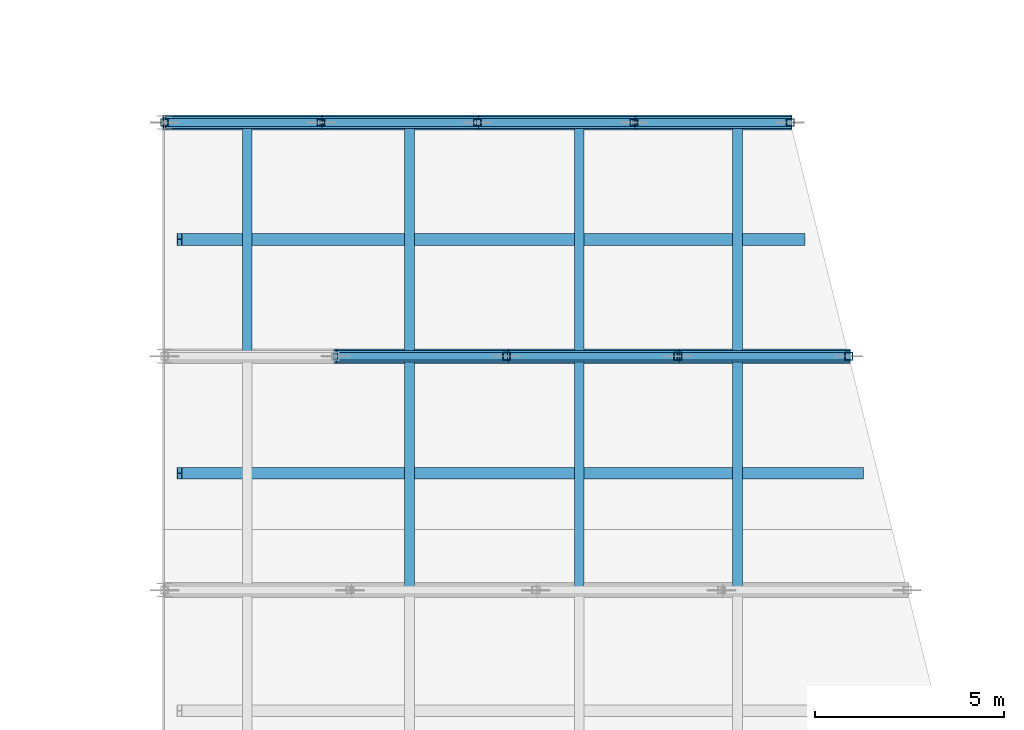
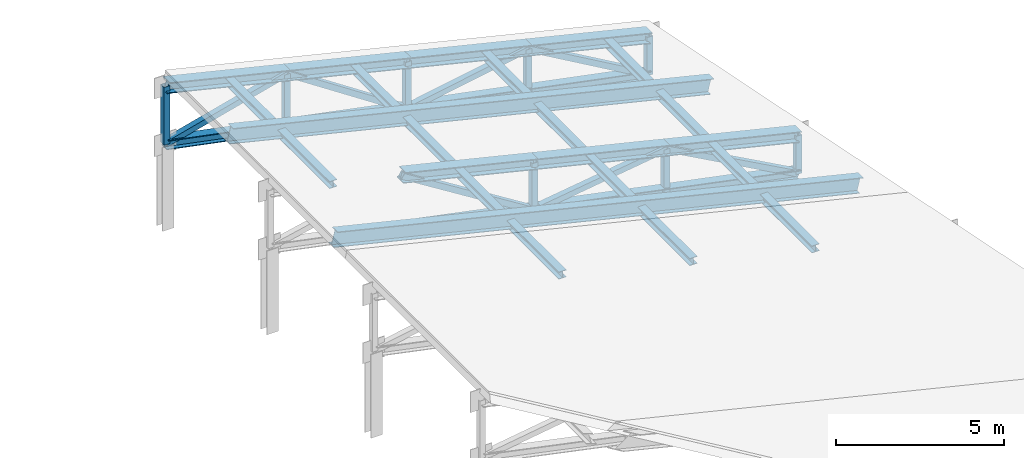
# One storey, part 34 of 73: 38 members.
"""IFC4 building model written with IfcOpenShell, lengths in metres."""

from ifc_helpers import new_model, si_unit, direction, frame, origin, origin_2d, place, context, subcontext, project, spatial, hollow_rectangle, i_section, extrude, material, material_profile, profile_set, type_object, element, save


model = new_model("IFC4")

# Units and contexts
model_context = context("Model", 3, precision=1e-05, world=origin(), true_north=direction((0.0, 1.0)))
body_context = subcontext(model_context, "Body", "Model", "MODEL_VIEW")
ifc_project = project(units=[si_unit("LENGTHUNIT", "METRE"), si_unit("AREAUNIT", "SQUARE_METRE"), si_unit("VOLUMEUNIT", "CUBIC_METRE"), si_unit("PLANEANGLEUNIT", "RADIAN"), si_unit("MASSUNIT", "GRAM", prefix="KILO")], contexts=[model_context])

# Site, building, storey
site_placement = place(None, origin())
site = spatial("IfcSite", under=ifc_project, at=site_placement, CompositionType="ELEMENT")
building_placement = place(site_placement, origin())
building = spatial("IfcBuilding", under=site, at=building_placement, Name="Vervanel Yard Central Library", CompositionType="ELEMENT")
storey_placement = place(building_placement, frame((0.0, 0.0, 12.780029296875)))
storey = spatial("IfcBuildingStorey", under=building, at=storey_placement, Name="L03", CompositionType="ELEMENT", Elevation=12.780029296875)

# Members
ifc_material_1 = material(Name="Steel ASTM A992 Grade 50", Category="steel")
ifc_material_profile_1 = material_profile(ifc_material_1, i_section(OverallWidth=0.256591796875, OverallDepth=0.26416015625, WebThickness=0.011962890625, FlangeThickness=0.01953125, at=origin_2d()), Name="W10X68", Category="steel")
ifc_profile_set_1 = profile_set([ifc_material_profile_1], Name="Steel ASTM A992 Grade 50")
member_type_1 = type_object("IfcMemberType", Name="Auditorium Roof Purlin W10X68", PredefinedType="PURLIN", material=ifc_profile_set_1)
for number, where, z_axis, x_axis, name in (
    (1, (152.5, 93.60009765625, 3.494140625), (0.0, 1.0, 0.0), (-1.0, 0.0, 0.0), "Auditorium Roof Purlin X=152.5 Y=93.6-99.8"),
    (2, (157.0, 93.60009765625, 2.409912109375), (0.0, 1.0, 0.0), (-1.0, 0.0, 0.0), "Auditorium Roof Purlin X=157.0 Y=93.6-99.8"),
    (3, (161.199951171875, 93.60009765625, 1.398193359375), (0.0, 1.0, 0.0), (-1.0, 0.0, 0.0), "Auditorium Roof Purlin X=161.2 Y=93.6-99.8"),
    (4, (148.199951171875, 99.800048828125, 4.530029296875), (0.0, 1.0, 0.0), (-1.0, 0.0, 0.0), "Auditorium Roof Purlin X=148.2 Y=99.8-106.0"),
    (5, (152.5, 99.800048828125, 3.494140625), (0.0, 1.0, 0.0), (-1.0, 0.0, 0.0), "Auditorium Roof Purlin X=152.5 Y=99.8-106.0"),
    (6, (157.0, 99.800048828125, 2.409912109375), (0.0, 1.0, 0.0), (-1.0, 0.0, 0.0), "Auditorium Roof Purlin X=157.0 Y=99.8-106.0"),
    (7, (161.199951171875, 99.800048828125, 1.398193359375), (0.0, 1.0, 0.0), (-1.0, 0.0, 0.0), "Auditorium Roof Purlin X=161.2 Y=99.8-106.0"),
):
    element("IfcMember", number, at=place(storey_placement, frame(where, z_axis=z_axis, x_axis=x_axis)), inside=storey, type_object=member_type_1, Name=name, PredefinedType="PURLIN", context=body_context, shape_type="SweptSolid", body=[
        extrude(i_section(OverallWidth=0.256591796875, OverallDepth=0.26416015625, WebThickness=0.011962890625, FlangeThickness=0.01953125, at=origin_2d()), origin(), (0.0, 0.0, 1.0), 6.199951171875),
    ])
ifc_material_profile_2 = material_profile(ifc_material_1, i_section(OverallWidth=0.309814453125, OverallDepth=0.32763671875, WebThickness=0.015380859375, FlangeThickness=0.025146484375, at=origin_2d()), Name="W12X106", Category="steel")
ifc_profile_set_2 = profile_set([ifc_material_profile_2], Name="Steel ASTM A992 Grade 50")
member_type_2 = type_object("IfcMemberType", Name="Auditorium Roof Truss Bottom Chord W12X106", PredefinedType="CHORD", material=ifc_profile_set_2)
member_1_placement = place(storey_placement, frame((150.53759765625, 99.800048828125, 2.121826171875), z_axis=(0.980131894365, 0.0, -0.198346841792), x_axis=(0.0, 1.0, 0.0)))
element("IfcMember", 8, at=member_1_placement, inside=storey, type_object=member_type_2, Name="Auditorium Truss 5 Bottom Chord 2", PredefinedType="CHORD", context=body_context, shape_type="SweptSolid", body=[
    extrude(i_section(OverallWidth=0.309814453125, OverallDepth=0.32763671875, WebThickness=0.015380859375, FlangeThickness=0.025146484375, at=origin_2d()), origin(), (0.0, 0.0, 1.0), 4.62939453125),
])
member_2_placement = place(storey_placement, frame((155.074951171875, 99.800048828125, 1.20361328125), z_axis=(0.980144219293, 0.0, -0.198285928362), x_axis=(0.0, 1.0, 0.0)))
element("IfcMember", 9, at=member_2_placement, inside=storey, type_object=member_type_2, Name="Auditorium Truss 5 Bottom Chord 3", PredefinedType="CHORD", context=body_context, shape_type="SweptSolid", body=[
    extrude(i_section(OverallWidth=0.309814453125, OverallDepth=0.32763671875, WebThickness=0.015380859375, FlangeThickness=0.025146484375, at=origin_2d()), origin(), (0.0, 0.0, 1.0), 4.629638671875),
])
member_3_placement = place(storey_placement, frame((159.612548828125, 99.800048828125, 0.28564453125), z_axis=(0.980131894365, 0.0, -0.198346841792), x_axis=(0.0, 1.0, 0.0)))
element("IfcMember", 10, at=member_3_placement, inside=storey, type_object=member_type_2, Name="Auditorium Truss 5 Bottom Chord 4", PredefinedType="CHORD", context=body_context, shape_type="SweptSolid", body=[
    extrude(i_section(OverallWidth=0.309814453125, OverallDepth=0.32763671875, WebThickness=0.015380859375, FlangeThickness=0.025146484375, at=origin_2d()), origin(), (0.0, 0.0, 1.0), 4.62939453125),
])
for number, where, z_axis, x_axis, name in (
    (11, (146.0, 106.0, 3.0400390625), (0.980808595971, 0.0, -0.194973070113), (0.0, 1.0, 0.0), "Auditorium Truss 6 Bottom Chord 1"),
    (12, (150.14990234375, 106.0, 2.215087890625), (0.980821820918, 0.0, -0.194906530447), (0.0, 1.0, 0.0), "Auditorium Truss 6 Bottom Chord 2"),
):
    element("IfcMember", number, at=place(storey_placement, frame(where, z_axis=z_axis, x_axis=x_axis)), inside=storey, type_object=member_type_2, Name=name, PredefinedType="CHORD", context=body_context, shape_type="SweptSolid", body=[
        extrude(i_section(OverallWidth=0.309814453125, OverallDepth=0.32763671875, WebThickness=0.015380859375, FlangeThickness=0.025146484375, at=origin_2d()), origin(), (0.0, 0.0, 1.0), 4.231201171875),
    ])
member_4_placement = place(storey_placement, frame((154.300048828125, 106.0, 1.390380859375), z_axis=(0.980819628838, 0.0, -0.194917561255), x_axis=(0.0, 1.0, 0.0)))
element("IfcMember", 13, at=member_4_placement, inside=storey, type_object=member_type_2, Name="Auditorium Truss 6 Bottom Chord 3", PredefinedType="CHORD", context=body_context, shape_type="SweptSolid", body=[
    extrude(i_section(OverallWidth=0.309814453125, OverallDepth=0.32763671875, WebThickness=0.015380859375, FlangeThickness=0.025146484375, at=origin_2d()), origin(), (0.0, 0.0, 1.0), 4.23095703125),
])
member_5_placement = place(storey_placement, frame((158.449951171875, 106.0, 0.565673828125), z_axis=(0.980821820918, 0.0, -0.194906530447), x_axis=(0.0, 1.0, 0.0)))
element("IfcMember", 14, at=member_5_placement, inside=storey, type_object=member_type_2, Name="Auditorium Truss 6 Bottom Chord 4", PredefinedType="CHORD", context=body_context, shape_type="SweptSolid", body=[
    extrude(i_section(OverallWidth=0.309814453125, OverallDepth=0.32763671875, WebThickness=0.015380859375, FlangeThickness=0.025146484375, at=origin_2d()), origin(), (0.0, 0.0, 1.0), 4.231201171875),
])
ifc_material_profile_3 = material_profile(ifc_material_1, i_section(OverallWidth=0.396240234375, OverallDepth=0.381103515625, WebThickness=0.01904296875, FlangeThickness=0.0302734375, at=origin_2d()), Name="W14X159", Category="steel")
ifc_profile_set_3 = profile_set([ifc_material_profile_3], Name="Steel ASTM A992 Grade 50")
member_type_3 = type_object("IfcMemberType", Name="Auditorium Roof Truss Chord W14X159", PredefinedType="CHORD", material=ifc_profile_set_3)
member_6_placement = place(storey_placement, frame((150.53759765625, 99.800048828125, 4.046875), z_axis=(0.972177989599, 0.0, -0.234243370321), x_axis=(0.0, 1.0, 0.0)))
element("IfcMember", 15, at=member_6_placement, inside=storey, type_object=member_type_3, Name="Auditorium Truss 5 Top Chord 2", PredefinedType="CHORD", context=body_context, shape_type="SweptSolid", body=[
    extrude(i_section(OverallWidth=0.396240234375, OverallDepth=0.381103515625, WebThickness=0.01904296875, FlangeThickness=0.0302734375, at=origin_2d()), origin(), (0.0, 0.0, 1.0), 4.667236328125),
])
member_7_placement = place(storey_placement, frame((155.074951171875, 99.800048828125, 2.95361328125), z_axis=(0.972192769649, 0.0, -0.234182020323), x_axis=(0.0, 1.0, 0.0)))
element("IfcMember", 16, at=member_7_placement, inside=storey, type_object=member_type_3, Name="Auditorium Truss 5 Top Chord 3", PredefinedType="CHORD", context=body_context, shape_type="SweptSolid", body=[
    extrude(i_section(OverallWidth=0.396240234375, OverallDepth=0.381103515625, WebThickness=0.01904296875, FlangeThickness=0.0302734375, at=origin_2d()), origin(), (0.0, 0.0, 1.0), 4.66748046875),
])
member_8_placement = place(storey_placement, frame((159.612548828125, 99.800048828125, 1.860595703125), z_axis=(0.972189900807, 0.0, -0.234193929831), x_axis=(0.0, 1.0, 0.0)))
element("IfcMember", 17, at=member_8_placement, inside=storey, type_object=member_type_3, Name="Auditorium Truss 5 Top Chord 4", PredefinedType="CHORD", context=body_context, shape_type="SweptSolid", body=[
    extrude(i_section(OverallWidth=0.396240234375, OverallDepth=0.381103515625, WebThickness=0.01904296875, FlangeThickness=0.0302734375, at=origin_2d()), origin(), (0.0, 0.0, 1.0), 4.667236328125),
])
member_9_placement = place(storey_placement, frame((146.0, 106.0, 5.139892578125), z_axis=(0.972186026649, 0.0, -0.234210011715), x_axis=(0.0, 1.0, 0.0)))
element("IfcMember", 18, at=member_9_placement, inside=storey, type_object=member_type_3, Name="Auditorium Truss 6 Top Chord 1", PredefinedType="CHORD", context=body_context, shape_type="SweptSolid", body=[
    extrude(i_section(OverallWidth=0.396240234375, OverallDepth=0.381103515625, WebThickness=0.01904296875, FlangeThickness=0.0302734375, at=origin_2d()), origin(), (0.0, 0.0, 1.0), 4.2685546875),
])
member_10_placement = place(storey_placement, frame((150.14990234375, 106.0, 4.14013671875), z_axis=(0.972189163734, 0.0, -0.234196989558), x_axis=(0.0, 1.0, 0.0)))
element("IfcMember", 19, at=member_10_placement, inside=storey, type_object=member_type_3, Name="Auditorium Truss 6 Top Chord 2", PredefinedType="CHORD", context=body_context, shape_type="SweptSolid", body=[
    extrude(i_section(OverallWidth=0.396240234375, OverallDepth=0.381103515625, WebThickness=0.01904296875, FlangeThickness=0.0302734375, at=origin_2d()), origin(), (0.0, 0.0, 1.0), 4.268798828125),
])
member_11_placement = place(storey_placement, frame((154.300048828125, 106.0, 3.140380859375), z_axis=(0.972186026649, 0.0, -0.234210011715), x_axis=(0.0, 1.0, 0.0)))
element("IfcMember", 20, at=member_11_placement, inside=storey, type_object=member_type_3, Name="Auditorium Truss 6 Top Chord 3", PredefinedType="CHORD", context=body_context, shape_type="SweptSolid", body=[
    extrude(i_section(OverallWidth=0.396240234375, OverallDepth=0.381103515625, WebThickness=0.01904296875, FlangeThickness=0.0302734375, at=origin_2d()), origin(), (0.0, 0.0, 1.0), 4.2685546875),
])
member_12_placement = place(storey_placement, frame((158.449951171875, 106.0, 2.140625), z_axis=(0.972189163734, 0.0, -0.234196989558), x_axis=(0.0, 1.0, 0.0)))
element("IfcMember", 21, at=member_12_placement, inside=storey, type_object=member_type_3, Name="Auditorium Truss 6 Top Chord 4", PredefinedType="CHORD", context=body_context, shape_type="SweptSolid", body=[
    extrude(i_section(OverallWidth=0.396240234375, OverallDepth=0.381103515625, WebThickness=0.01904296875, FlangeThickness=0.0302734375, at=origin_2d()), origin(), (0.0, 0.0, 1.0), 4.268798828125),
])
ifc_material_profile_4 = material_profile(ifc_material_1, i_section(OverallWidth=0.3125, OverallDepth=0.54345703125, WebThickness=0.0126953125, FlangeThickness=0.020263671875, at=origin_2d()), Name="W21X101", Category="steel")
ifc_profile_set_4 = profile_set([ifc_material_profile_4], Name="Steel ASTM A992 Grade 50")
member_type_4 = type_object("IfcMemberType", Name="Auditorium Sloped Rafter W21X101", PredefinedType="RAFTER", material=ifc_profile_set_4)
member_13_placement = place(storey_placement, frame((146.39990234375, 96.699951171875, 5.103515625), z_axis=(0.972189208584, 0.0, -0.234196803381), x_axis=(0.0, 1.0, 0.0)))
element("IfcMember", 22, at=member_13_placement, inside=storey, type_object=member_type_4, Name="Auditorium Intermediate Sloped Rafter 4", PredefinedType="RAFTER", context=body_context, shape_type="SweptSolid", body=[
    extrude(i_section(OverallWidth=0.3125, OverallDepth=0.54345703125, WebThickness=0.0126953125, FlangeThickness=0.020263671875, at=origin_2d()), origin(), (0.0, 0.0, 1.0), 18.59228515625),
])
member_14_placement = place(storey_placement, frame((146.39990234375, 102.89990234375, 5.103515625), z_axis=(0.972187734546, 0.0, -0.234202922267), x_axis=(0.0, 1.0, 0.0)))
element("IfcMember", 23, at=member_14_placement, inside=storey, type_object=member_type_4, Name="Auditorium Intermediate Sloped Rafter 5", PredefinedType="RAFTER", context=body_context, shape_type="SweptSolid", body=[
    extrude(i_section(OverallWidth=0.3125, OverallDepth=0.54345703125, WebThickness=0.0126953125, FlangeThickness=0.020263671875, at=origin_2d()), origin(), (0.0, 0.0, 1.0), 16.997802734375),
])
ifc_material_2 = material(Name="Steel ASTM A500 Grade C", Category="steel")
ifc_material_profile_5 = material_profile(ifc_material_2, hollow_rectangle(XDim=0.203125, YDim=0.203125, WallThickness=0.01171875, at=origin_2d()), Name="HSS8X8X1/2", Category="steel")
ifc_profile_set_5 = profile_set([ifc_material_profile_5], Name="Steel ASTM A500 Grade C")
member_type_5 = type_object("IfcMemberType", Name="Auditorium Truss Web Diagonal HSS8X8X1/2", PredefinedType="BRACE", material=ifc_profile_set_5)
member_15_placement = place(storey_placement, frame((150.53759765625, 99.800048828125, 4.046875), z_axis=(0.847375276329, 0.0, -0.530994483085), x_axis=(0.0, 1.0, 0.0)))
element("IfcMember", 24, at=member_15_placement, inside=storey, type_object=member_type_5, Name="Auditorium Truss 5 Web Diagonal 2", PredefinedType="BRACE", context=body_context, shape_type="SweptSolid", body=[
    extrude(hollow_rectangle(XDim=0.203125, YDim=0.203125, WallThickness=0.01171875, at=origin_2d()), origin(), (0.0, 0.0, 1.0), 5.3544921875),
])
member_16_placement = place(storey_placement, frame((155.074951171875, 99.800048828125, 1.20361328125), z_axis=(0.989680416772, 0.0, 0.143292263076), x_axis=(0.0, 1.0, 0.0)))
element("IfcMember", 25, at=member_16_placement, inside=storey, type_object=member_type_5, Name="Auditorium Truss 5 Web Diagonal 3", PredefinedType="BRACE", context=body_context, shape_type="SweptSolid", body=[
    extrude(hollow_rectangle(XDim=0.203125, YDim=0.203125, WallThickness=0.01171875, at=origin_2d()), origin(), (0.0, 0.0, 1.0), 4.5849609375),
])
member_17_placement = place(storey_placement, frame((159.612548828125, 99.800048828125, 1.860595703125), z_axis=(0.876409986199, 0.0, -0.481565713159), x_axis=(0.0, 1.0, 0.0)))
element("IfcMember", 26, at=member_17_placement, inside=storey, type_object=member_type_5, Name="Auditorium Truss 5 Web Diagonal 4", PredefinedType="BRACE", context=body_context, shape_type="SweptSolid", body=[
    extrude(hollow_rectangle(XDim=0.203125, YDim=0.203125, WallThickness=0.01171875, at=origin_2d()), origin(), (0.0, 0.0, 1.0), 5.17724609375),
])
member_18_placement = place(storey_placement, frame((155.074951171875, 99.800048828125, 1.20361328125), z_axis=(0.0, 0.0, 1.0), x_axis=(1.0, 0.0, 0.0)))
element("IfcMember", 27, at=member_18_placement, inside=storey, type_object=member_type_5, Name="Auditorium Truss 5 Vertical 3", PredefinedType="BRACE", context=body_context, shape_type="SweptSolid", body=[
    extrude(hollow_rectangle(XDim=0.203125, YDim=0.203125, WallThickness=0.01171875, at=origin_2d()), origin(), (0.0, 0.0, 1.0), 1.75),
])
member_19_placement = place(storey_placement, frame((159.612548828125, 99.800048828125, 0.28564453125), z_axis=(0.0, 0.0, 1.0), x_axis=(1.0, 0.0, 0.0)))
element("IfcMember", 28, at=member_19_placement, inside=storey, type_object=member_type_5, Name="Auditorium Truss 5 Vertical 4", PredefinedType="BRACE", context=body_context, shape_type="SweptSolid", body=[
    extrude(hollow_rectangle(XDim=0.203125, YDim=0.203125, WallThickness=0.01171875, at=origin_2d()), origin(), (0.0, 0.0, 1.0), 1.574951171875),
])
member_20_placement = place(storey_placement, frame((164.14990234375, 99.800048828125, -0.632568359375), z_axis=(0.0, 0.0, 1.0), x_axis=(1.0, 0.0, 0.0)))
element("IfcMember", 29, at=member_20_placement, inside=storey, type_object=member_type_5, Name="Auditorium Truss 5 Vertical 5", PredefinedType="BRACE", context=body_context, shape_type="SweptSolid", body=[
    extrude(hollow_rectangle(XDim=0.203125, YDim=0.203125, WallThickness=0.01171875, at=origin_2d()), origin(), (0.0, 0.0, 1.0), 1.400146484375),
])
member_21_placement = place(storey_placement, frame((146.0, 106.0, 3.0400390625), z_axis=(0.966613315255, 0.0, 0.256239533977), x_axis=(0.0, 1.0, 0.0)))
element("IfcMember", 30, at=member_21_placement, inside=storey, type_object=member_type_5, Name="Auditorium Truss 6 Web Diagonal 1", PredefinedType="BRACE", context=body_context, shape_type="SweptSolid", body=[
    extrude(hollow_rectangle(XDim=0.203125, YDim=0.203125, WallThickness=0.01171875, at=origin_2d()), origin(), (0.0, 0.0, 1.0), 4.293212890625),
])
member_22_placement = place(storey_placement, frame((150.14990234375, 106.0, 4.14013671875), z_axis=(0.833623743571, 0.0, -0.552332738622), x_axis=(0.0, 1.0, 0.0)))
element("IfcMember", 31, at=member_22_placement, inside=storey, type_object=member_type_5, Name="Auditorium Truss 6 Web Diagonal 2", PredefinedType="BRACE", context=body_context, shape_type="SweptSolid", body=[
    extrude(hollow_rectangle(XDim=0.203125, YDim=0.203125, WallThickness=0.01171875, at=origin_2d()), origin(), (0.0, 0.0, 1.0), 4.978515625),
])
member_23_placement = place(storey_placement, frame((154.300048828125, 106.0, 1.390380859375), z_axis=(0.984048189288, 0.0, 0.177902111171), x_axis=(0.0, 1.0, 0.0)))
element("IfcMember", 32, at=member_23_placement, inside=storey, type_object=member_type_5, Name="Auditorium Truss 6 Web Diagonal 3", PredefinedType="BRACE", context=body_context, shape_type="SweptSolid", body=[
    extrude(hollow_rectangle(XDim=0.203125, YDim=0.203125, WallThickness=0.01171875, at=origin_2d()), origin(), (0.0, 0.0, 1.0), 4.21728515625),
])
member_24_placement = place(storey_placement, frame((158.449951171875, 106.0, 2.140625), z_axis=(0.865702763696, 0.0, -0.500558413105), x_axis=(0.0, 1.0, 0.0)))
element("IfcMember", 33, at=member_24_placement, inside=storey, type_object=member_type_5, Name="Auditorium Truss 6 Web Diagonal 4", PredefinedType="BRACE", context=body_context, shape_type="SweptSolid", body=[
    extrude(hollow_rectangle(XDim=0.203125, YDim=0.203125, WallThickness=0.01171875, at=origin_2d()), origin(), (0.0, 0.0, 1.0), 4.7939453125),
])
member_25_placement = place(storey_placement, frame((146.0, 106.0, 3.0400390625), z_axis=(0.0, 0.0, 1.0), x_axis=(1.0, 0.0, 0.0)))
element("IfcMember", 34, at=member_25_placement, inside=storey, type_object=member_type_5, Name="Auditorium Truss 6 Vertical 1", PredefinedType="BRACE", context=body_context, shape_type="SweptSolid", body=[
    extrude(hollow_rectangle(XDim=0.203125, YDim=0.203125, WallThickness=0.01171875, at=origin_2d()), origin(), (0.0, 0.0, 1.0), 2.099853515625),
])
member_26_placement = place(storey_placement, frame((150.14990234375, 106.0, 2.215087890625), z_axis=(0.0, 0.0, 1.0), x_axis=(1.0, 0.0, 0.0)))
element("IfcMember", 35, at=member_26_placement, inside=storey, type_object=member_type_5, Name="Auditorium Truss 6 Vertical 2", PredefinedType="BRACE", context=body_context, shape_type="SweptSolid", body=[
    extrude(hollow_rectangle(XDim=0.203125, YDim=0.203125, WallThickness=0.01171875, at=origin_2d()), origin(), (0.0, 0.0, 1.0), 1.925048828125),
])
member_27_placement = place(storey_placement, frame((154.300048828125, 106.0, 1.390380859375), z_axis=(0.0, 0.0, 1.0), x_axis=(1.0, 0.0, 0.0)))
element("IfcMember", 36, at=member_27_placement, inside=storey, type_object=member_type_5, Name="Auditorium Truss 6 Vertical 3", PredefinedType="BRACE", context=body_context, shape_type="SweptSolid", body=[
    extrude(hollow_rectangle(XDim=0.203125, YDim=0.203125, WallThickness=0.01171875, at=origin_2d()), origin(), (0.0, 0.0, 1.0), 1.75),
])
member_28_placement = place(storey_placement, frame((158.449951171875, 106.0, 0.565673828125), z_axis=(0.0, 0.0, 1.0), x_axis=(1.0, 0.0, 0.0)))
element("IfcMember", 37, at=member_28_placement, inside=storey, type_object=member_type_5, Name="Auditorium Truss 6 Vertical 4", PredefinedType="BRACE", context=body_context, shape_type="SweptSolid", body=[
    extrude(hollow_rectangle(XDim=0.203125, YDim=0.203125, WallThickness=0.01171875, at=origin_2d()), origin(), (0.0, 0.0, 1.0), 1.574951171875),
])
member_29_placement = place(storey_placement, frame((162.60009765625, 106.0, -0.259033203125), z_axis=(0.0, 0.0, 1.0), x_axis=(1.0, 0.0, 0.0)))
element("IfcMember", 38, at=member_29_placement, inside=storey, type_object=member_type_5, Name="Auditorium Truss 6 Vertical 5", PredefinedType="BRACE", context=body_context, shape_type="SweptSolid", body=[
    extrude(hollow_rectangle(XDim=0.203125, YDim=0.203125, WallThickness=0.01171875, at=origin_2d()), origin(), (0.0, 0.0, 1.0), 1.39990234375),
])

save(model, "model.ifc")
